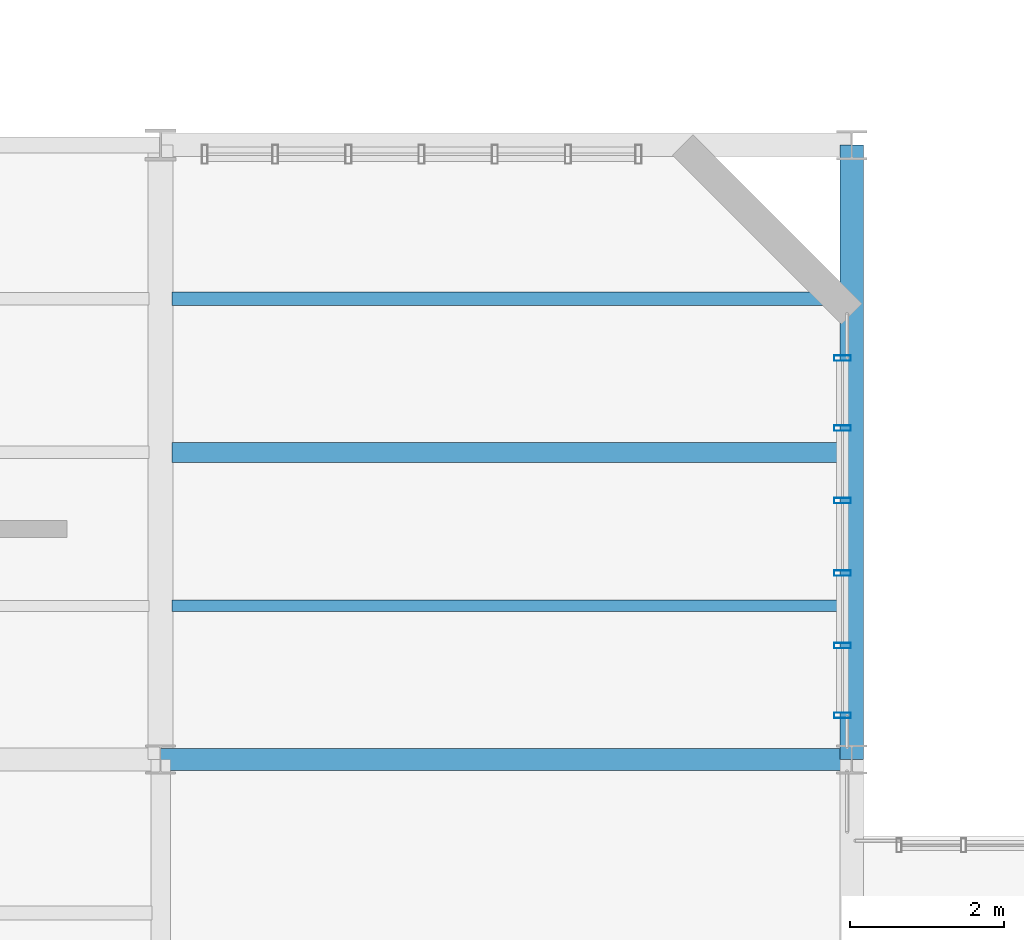
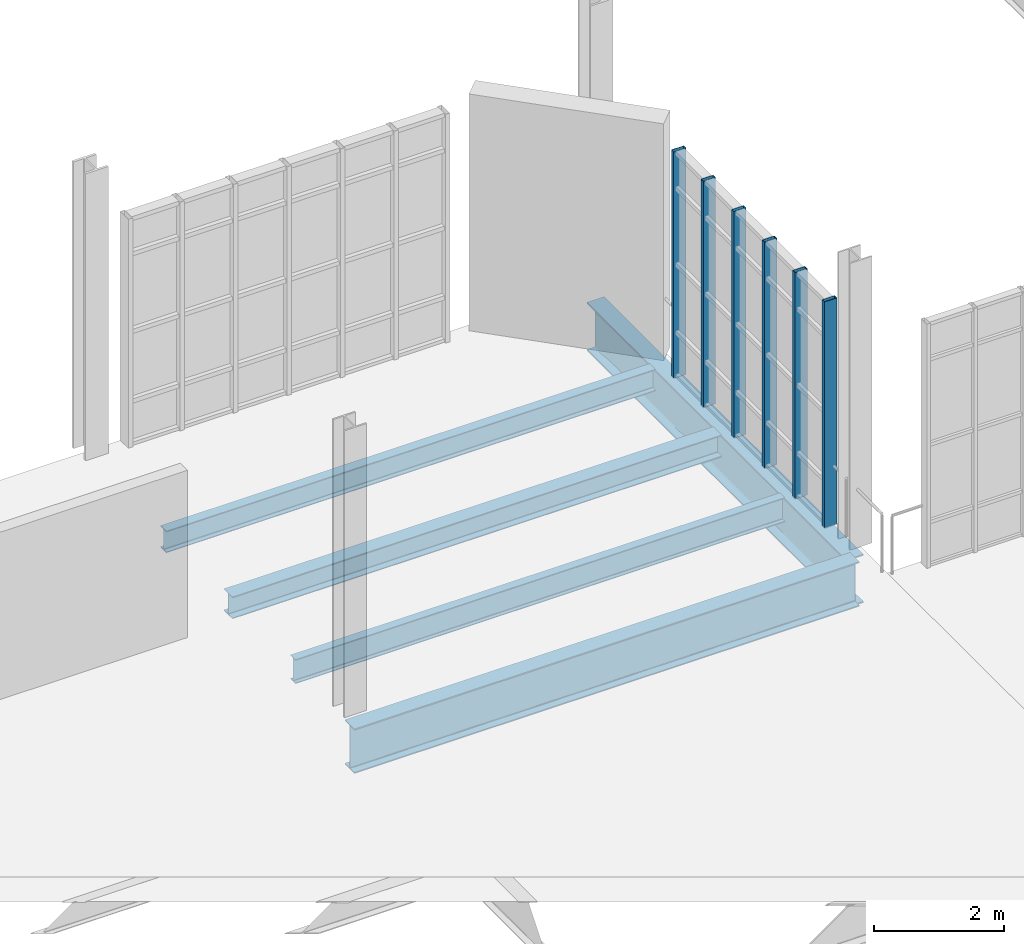
# One storey, part 26 of 189: 6 members, 5 beams, 1 element without a shape of its own.
"""IFC4 building model written with IfcOpenShell, lengths in metres."""

from ifc_helpers import new_model, si_unit, direction, frame, origin, origin_2d, place, context, subcontext, project, spatial, hollow_rectangle, i_section, extrude, material, layer, layer_set, material_profile, profile_set, type_object, element, aggregate, save


model = new_model("IFC4")

# Units and contexts
model_context = context("Model", 3, precision=1e-05, world=origin(), true_north=direction((0.0, 1.0)))
body_context = subcontext(model_context, "Body", "Model", "MODEL_VIEW")
ifc_project = project(units=[si_unit("LENGTHUNIT", "METRE"), si_unit("AREAUNIT", "SQUARE_METRE"), si_unit("VOLUMEUNIT", "CUBIC_METRE"), si_unit("PLANEANGLEUNIT", "RADIAN"), si_unit("MASSUNIT", "GRAM", prefix="KILO"), si_unit("THERMODYNAMICTEMPERATUREUNIT", "KELVIN"), si_unit("POWERUNIT", "WATT")], contexts=[model_context])

# Site, building, storey
site_placement = place(None, origin())
site = spatial("IfcSite", under=ifc_project, at=site_placement, CompositionType="ELEMENT")
building_placement = place(site_placement, origin())
building = spatial("IfcBuilding", under=site, at=building_placement, Name="Zelmaris Science Centre", CompositionType="ELEMENT")
storey_placement = place(building_placement, origin())
storey = spatial("IfcBuildingStorey", under=building, at=storey_placement, Name="L00", CompositionType="ELEMENT", Elevation=0.0)

# Curtain wall, members
ifc_material_1 = material(Name="Anodised architectural aluminium 6063-T6", Category="aluminium")
ifc_layer = layer(ifc_material_1, 0.199951171875, Name="Anodised architectural aluminium 6063-T6")
ifc_layer_set = layer_set([ifc_layer], Name="Anodised architectural aluminium 6063-T6")
curtain_wall_type = type_object("IfcCurtainWallType", Name="Curtain Wall CW-02", PredefinedType="USERDEFINED", material=ifc_layer_set)
curtain_wall_placement = place(storey_placement, origin())
curtain_wall = element("IfcCurtainWall", 1, at=curtain_wall_placement, inside=storey, type_object=curtain_wall_type, Name="L00 Unitised curtain wall 46", ObjectType="GLAZED CURTAIN WALL", PredefinedType="USERDEFINED")
ifc_material_profile_1 = material_profile(ifc_material_1, hollow_rectangle(XDim=0.074951171875, YDim=0.219970703125, WallThickness=0.0048828125, at=origin_2d()), Name="ALU-MUL-75X220")
ifc_profile_set_1 = profile_set([ifc_material_profile_1], Name="Anodised architectural aluminium 6063-T6")
member_type = type_object("IfcMemberType", Name="ALU-MUL-75X220", PredefinedType="MULLION", material=ifc_profile_set_1)
member_1_placement = place(storey_placement, frame((53.8798828125, 37.2265625, -0.014892578125), z_axis=(0.0, 0.0, 1.0), x_axis=(1.0471976e-05, -0.999999999945, 0.0)))
member_1 = element("IfcMember", 2, at=member_1_placement, type_object=member_type, Name="CW-02 mullion 1", PredefinedType="MULLION", context=body_context, shape_type="SweptSolid", body=[
    extrude(hollow_rectangle(XDim=0.074951171875, YDim=0.219970703125, WallThickness=0.0048828125, at=origin_2d()), origin(), (0.0, 0.0, 1.0), 4.263916015625),
])
member_2_placement = place(storey_placement, frame((53.8798828125, 36.31591796875, -0.014892578125), z_axis=(0.0, 0.0, 1.0), x_axis=(1.0471976e-05, -0.999999999945, 0.0)))
member_2 = element("IfcMember", 3, at=member_2_placement, type_object=member_type, Name="CW-02 mullion 2", PredefinedType="MULLION", context=body_context, shape_type="SweptSolid", body=[
    extrude(hollow_rectangle(XDim=0.074951171875, YDim=0.219970703125, WallThickness=0.0048828125, at=origin_2d()), origin(), (0.0, 0.0, 1.0), 4.263916015625),
])
member_3_placement = place(storey_placement, frame((53.8798828125, 35.3720703125, -0.014892578125), z_axis=(0.0, 0.0, 1.0), x_axis=(1.0471976e-05, -0.999999999945, 0.0)))
member_3 = element("IfcMember", 4, at=member_3_placement, type_object=member_type, Name="CW-02 mullion 3", PredefinedType="MULLION", context=body_context, shape_type="SweptSolid", body=[
    extrude(hollow_rectangle(XDim=0.074951171875, YDim=0.219970703125, WallThickness=0.0048828125, at=origin_2d()), origin(), (0.0, 0.0, 1.0), 4.263916015625),
])
member_4_placement = place(storey_placement, frame((53.8798828125, 34.427978515625, -0.014892578125), z_axis=(0.0, 0.0, 1.0), x_axis=(1.0471976e-05, -0.999999999945, 0.0)))
member_4 = element("IfcMember", 5, at=member_4_placement, type_object=member_type, Name="CW-02 mullion 4", PredefinedType="MULLION", context=body_context, shape_type="SweptSolid", body=[
    extrude(hollow_rectangle(XDim=0.074951171875, YDim=0.219970703125, WallThickness=0.0048828125, at=origin_2d()), origin(), (0.0, 0.0, 1.0), 4.263916015625),
])
member_5_placement = place(storey_placement, frame((53.8798828125, 33.48388671875, -0.014892578125), z_axis=(0.0, 0.0, 1.0), x_axis=(1.0471976e-05, -0.999999999945, 0.0)))
member_5 = element("IfcMember", 6, at=member_5_placement, type_object=member_type, Name="CW-02 mullion 5", PredefinedType="MULLION", context=body_context, shape_type="SweptSolid", body=[
    extrude(hollow_rectangle(XDim=0.074951171875, YDim=0.219970703125, WallThickness=0.0048828125, at=origin_2d()), origin(), (0.0, 0.0, 1.0), 4.263916015625),
])
member_6_placement = place(storey_placement, frame((53.8798828125, 32.573486328125, -0.014892578125), z_axis=(0.0, 0.0, 1.0), x_axis=(1.0471976e-05, -0.999999999945, 0.0)))
member_6 = element("IfcMember", 7, at=member_6_placement, type_object=member_type, Name="CW-02 mullion 6", PredefinedType="MULLION", context=body_context, shape_type="SweptSolid", body=[
    extrude(hollow_rectangle(XDim=0.074951171875, YDim=0.219970703125, WallThickness=0.0048828125, at=origin_2d()), origin(), (0.0, 0.0, 1.0), 4.263916015625),
])
aggregate(curtain_wall, [member_1, member_2, member_3, member_4, member_5, member_6])

# Beams
ifc_material_2 = material(Name="Steel ASTM A992 Grade 50", Category="steel")
ifc_material_profile_2 = material_profile(ifc_material_2, i_section(OverallWidth=0.304931640625, OverallDepth=0.9140625, WebThickness=0.0166015625, FlangeThickness=0.02587890625, FilletRadius=0.02392578125, at=origin_2d()), Name="W36X160")
ifc_profile_set_2 = profile_set([ifc_material_profile_2], Name="Steel ASTM A992 Grade 50")
beam_type_1 = type_object("IfcBeamType", Name="Beam G-04 W36X160", PredefinedType="BEAM", material=ifc_profile_set_2)
beam_1_placement = place(storey_placement, frame((54.0, 32.0, -0.76708984375), z_axis=(0.0, 1.0, 0.0), x_axis=(-1.0, 0.0, 0.0)))
element("IfcBeam", 8, at=beam_1_placement, inside=storey, type_object=beam_type_1, Name="L00 North-south girder 32", PredefinedType="BEAM", context=body_context, shape_type="SweptSolid", body=[
    extrude(i_section(OverallWidth=0.304931640625, OverallDepth=0.9140625, WebThickness=0.0166015625, FlangeThickness=0.02587890625, FilletRadius=0.02392578125, at=origin_2d()), origin(), (0.0, 0.0, 1.0), 8.0),
])
ifc_material_profile_3 = material_profile(ifc_material_2, i_section(OverallWidth=0.2919921875, OverallDepth=0.841064453125, WebThickness=0.0146484375, FlangeThickness=0.021728515625, FilletRadius=0.02001953125, at=origin_2d()), Name="W33X130")
ifc_profile_set_3 = profile_set([ifc_material_profile_3], Name="Steel ASTM A992 Grade 50")
beam_type_2 = type_object("IfcBeamType", Name="Beam G-07 W33X130", PredefinedType="BEAM", material=ifc_profile_set_3)
beam_2_placement = place(storey_placement, frame((45.0, 32.0, -0.73046875), z_axis=(1.0, 0.0, 0.0), x_axis=(0.0, 1.0, 0.0)))
element("IfcBeam", 9, at=beam_2_placement, inside=storey, type_object=beam_type_2, Name="L00 East-west girder 127", PredefinedType="BEAM", context=body_context, shape_type="SweptSolid", body=[
    extrude(i_section(OverallWidth=0.2919921875, OverallDepth=0.841064453125, WebThickness=0.0146484375, FlangeThickness=0.021728515625, FilletRadius=0.02001953125, at=origin_2d()), origin(), (0.0, 0.0, 1.0), 9.0),
])
ifc_material_profile_4 = material_profile(ifc_material_2, i_section(OverallWidth=0.152099609375, OverallDepth=0.455078125, WebThickness=0.008056640625, FlangeThickness=0.01318359375, FilletRadius=0.012939453125, at=origin_2d()), Name="W18X40")
ifc_profile_set_4 = profile_set([ifc_material_profile_4], Name="Steel ASTM A992 Grade 50")
beam_type_3 = type_object("IfcBeamType", Name="Beam J-05 W18X40", PredefinedType="JOIST", material=ifc_profile_set_4)
beam_3_placement = place(storey_placement, frame((45.14892578125, 34.0, -0.53759765625), z_axis=(1.0, 0.0, 0.0), x_axis=(0.0, 1.0, 0.0)))
element("IfcBeam", 10, at=beam_3_placement, inside=storey, type_object=beam_type_3, Name="L00 Composite floor joist 40", PredefinedType="JOIST", context=body_context, shape_type="SweptSolid", body=[
    extrude(i_section(OverallWidth=0.152099609375, OverallDepth=0.455078125, WebThickness=0.008056640625, FlangeThickness=0.01318359375, FilletRadius=0.012939453125, at=origin_2d()), origin(), (0.0, 0.0, 1.0), 8.713623046875),
])
ifc_material_profile_5 = material_profile(ifc_material_2, i_section(OverallWidth=0.260009765625, OverallDepth=0.4140625, WebThickness=0.010009765625, FlangeThickness=0.016845703125, FilletRadius=0.011962890625, at=origin_2d()), Name="W16X67")
ifc_profile_set_5 = profile_set([ifc_material_profile_5], Name="Steel ASTM A992 Grade 50")
beam_type_4 = type_object("IfcBeamType", Name="Beam J-06 W16X67", PredefinedType="JOIST", material=ifc_profile_set_5)
beam_4_placement = place(storey_placement, frame((45.14892578125, 36.0, -0.51708984375), z_axis=(1.0, 0.0, 0.0), x_axis=(0.0, 1.0, 0.0)))
element("IfcBeam", 11, at=beam_4_placement, inside=storey, type_object=beam_type_4, Name="L00 Composite floor joist 41", PredefinedType="JOIST", context=body_context, shape_type="SweptSolid", body=[
    extrude(i_section(OverallWidth=0.260009765625, OverallDepth=0.4140625, WebThickness=0.010009765625, FlangeThickness=0.016845703125, FilletRadius=0.011962890625, at=origin_2d()), origin(), (0.0, 0.0, 1.0), 8.713623046875),
])
ifc_material_profile_6 = material_profile(ifc_material_2, i_section(OverallWidth=0.177978515625, OverallDepth=0.408935546875, WebThickness=0.0087890625, FlangeThickness=0.014404296875, FilletRadius=0.011962890625, at=origin_2d()), Name="W16X45")
ifc_profile_set_6 = profile_set([ifc_material_profile_6], Name="Steel ASTM A992 Grade 50")
beam_type_5 = type_object("IfcBeamType", Name="Beam J-07 W16X45", PredefinedType="JOIST", material=ifc_profile_set_6)
beam_5_placement = place(storey_placement, frame((45.14892578125, 38.0, -0.514404296875), z_axis=(1.0, 0.0, 0.0), x_axis=(0.0, 1.0, 0.0)))
element("IfcBeam", 12, at=beam_5_placement, inside=storey, type_object=beam_type_5, Name="L00 Composite floor joist 42", PredefinedType="JOIST", context=body_context, shape_type="SweptSolid", body=[
    extrude(i_section(OverallWidth=0.177978515625, OverallDepth=0.408935546875, WebThickness=0.0087890625, FlangeThickness=0.014404296875, FilletRadius=0.011962890625, at=origin_2d()), origin(), (0.0, 0.0, 1.0), 8.713623046875),
])

save(model, "model.ifc")
